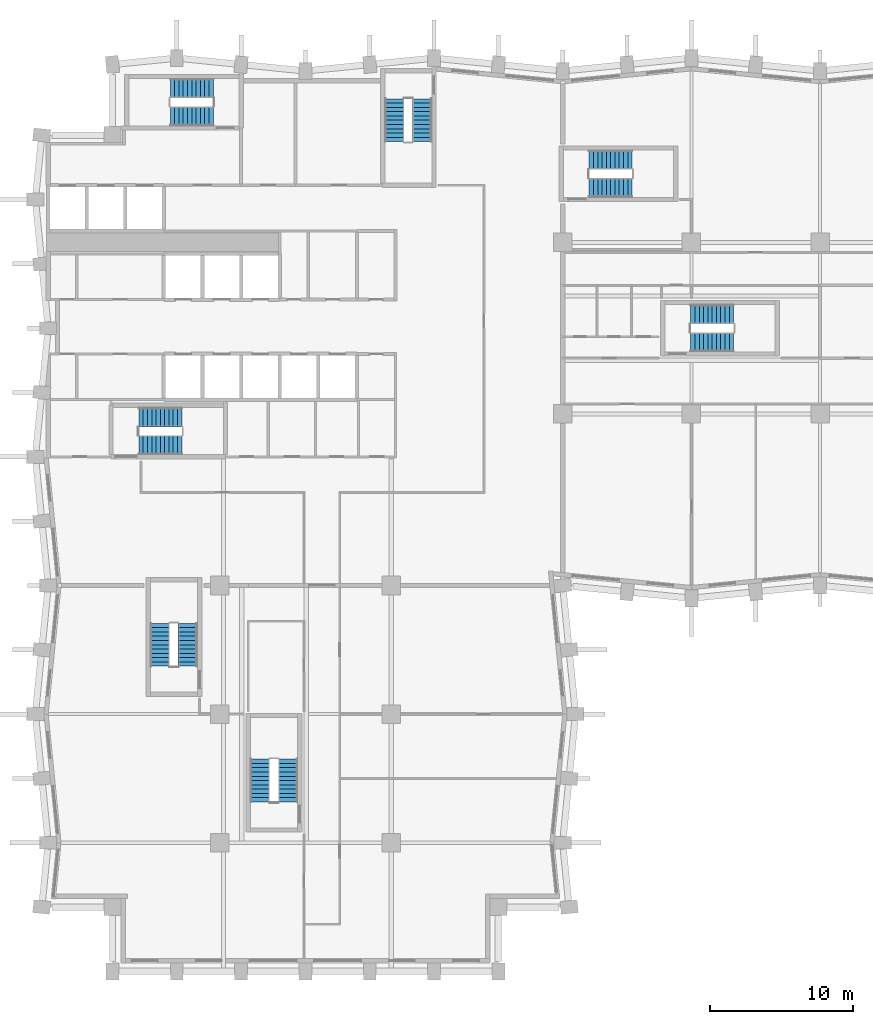
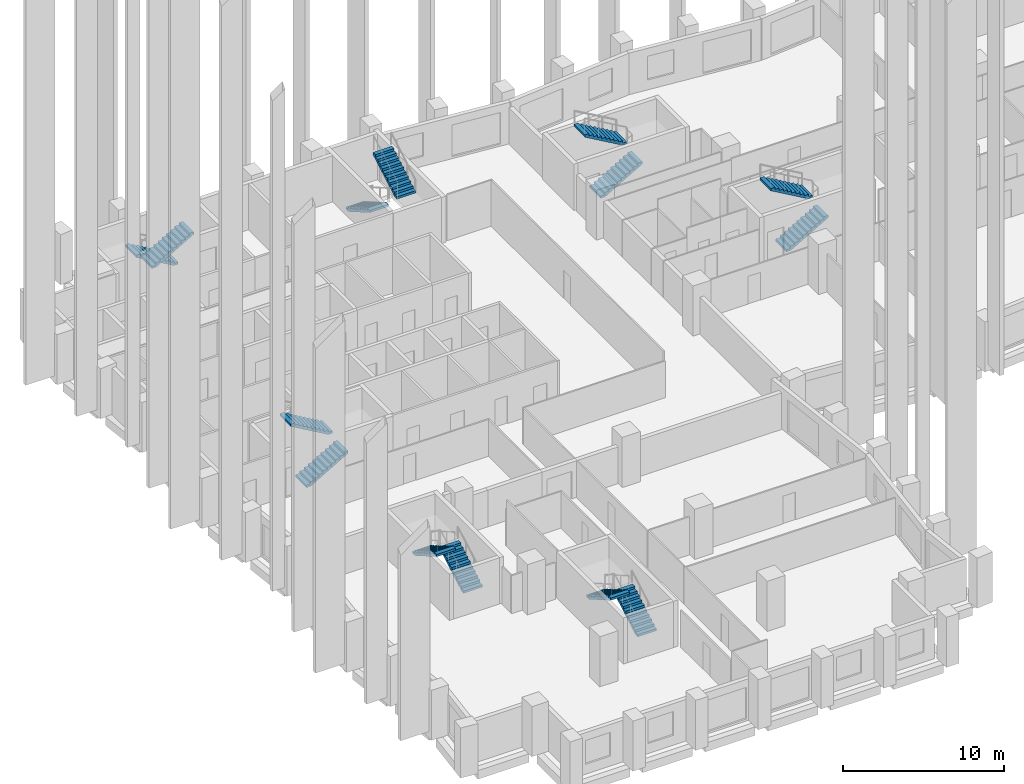
# One storey, part 10 of 12: 14 stair flights, 7 elements without a shape of their own.
"""IFC4 building model written with IfcOpenShell, lengths in metres."""

from ifc_helpers import new_model, si_unit, direction, frame, origin, place, context, subcontext, project, spatial, polyline, outline, extrude, material, type_object, element, aggregate, save


model = new_model("IFC4")

# Units and contexts
model_context = context("Model", 3, precision=1e-05, world=origin(), true_north=direction((0.0, 1.0)))
body_context = subcontext(model_context, "Body", "Model", "MODEL_VIEW")
ifc_project = project(units=[si_unit("LENGTHUNIT", "METRE"), si_unit("AREAUNIT", "SQUARE_METRE"), si_unit("VOLUMEUNIT", "CUBIC_METRE"), si_unit("PLANEANGLEUNIT", "RADIAN"), si_unit("MASSUNIT", "GRAM", prefix="KILO")], contexts=[model_context])

# Site, building, storey
site_placement = place(None, origin())
site = spatial("IfcSite", under=ifc_project, at=site_placement, CompositionType="ELEMENT")
building_placement = place(site_placement, origin())
building = spatial("IfcBuilding", under=site, at=building_placement, Name="Brondeck Convention Tower", CompositionType="ELEMENT")
storey_placement = place(building_placement, frame((0.0, 0.0, 88.5)))
storey = spatial("IfcBuildingStorey", under=building, at=storey_placement, Name="L20", CompositionType="ELEMENT", Elevation=88.5)

# Stair, stair flights
ifc_material = material(Name="Precast concrete C50/60", Category="concrete")
stair_type = type_object("IfcStairType", Name="Core stair 22 risers 172.73 mm riser 300 mm going 1350 wide", PredefinedType="HALF_TURN_STAIR", material=ifc_material)
stair_1_placement = place(storey_placement, origin())
stair_1 = element("IfcStair", 1, at=stair_1_placement, inside=storey, type_object=stair_type, Name="ST-1 L20 stair", PredefinedType="HALF_TURN_STAIR")
stair_flight_type = type_object("IfcStairFlightType", Name="Core stair flight 22 risers 172.73 mm riser 300 mm going 1350 wide", PredefinedType="STRAIGHT", material=ifc_material)
stair_flight_1_placement = place(storey_placement, frame((6.35009765625, 36.824951171875, 0.0), z_axis=(0.0, 0.0, 1.0), x_axis=(1.0, 0.0, 0.0)))
stair_flight_1 = element("IfcStairFlight", 2, at=stair_flight_1_placement, type_object=stair_flight_type, Name="ST-1 flight 1", NumberOfRisers=11, NumberOfTreads=10, PredefinedType="STRAIGHT", RiserHeight=0.172727273, TreadLength=0.3, context=body_context, shape_type="SweptSolid", body=[
    extrude(outline(polyline([(0.0, 0.0), (0.0, 0.172607421875), (0.300048828125, 0.172607421875), (0.300048828125, 0.345458984375), (0.60009765625, 0.345458984375), (0.60009765625, 0.51806640625), (0.89990234375, 0.51806640625), (0.89990234375, 0.69091796875), (1.199951171875, 0.69091796875), (1.199951171875, 0.863525390625), (1.5, 0.863525390625), (1.5, 1.036376953125), (1.800048828125, 1.036376953125), (1.800048828125, 1.208984375), (2.10009765625, 1.208984375), (2.10009765625, 1.3818359375), (2.39990234375, 1.3818359375), (2.39990234375, 1.554443359375), (2.699951171875, 1.554443359375), (2.699951171875, 1.727294921875), (3.0, 1.727294921875), (3.0, 1.89990234375), (3.0, 1.55419921875), (0.300537109375, 0.0), (0.0, 0.0)])), frame((0.0, 0.675048828125, 0.0), z_axis=(0.0, -1.0, 0.0), x_axis=(1.0, 0.0, 0.0)), (0.0, 0.0, 1.0), 1.35009765625),
])
stair_flight_2_placement = place(storey_placement, frame((9.35009765625, 38.77490234375, 1.89990234375), z_axis=(0.0, 0.0, 1.0), x_axis=(-1.0, 0.0, 0.0)))
stair_flight_2 = element("IfcStairFlight", 3, at=stair_flight_2_placement, type_object=stair_flight_type, Name="ST-1 flight 2", NumberOfRisers=11, NumberOfTreads=10, PredefinedType="STRAIGHT", RiserHeight=0.172727273, TreadLength=0.3, context=body_context, shape_type="SweptSolid", body=[
    extrude(outline(polyline([(0.0, 0.0), (0.0, 0.172607421875), (0.300048828125, 0.172607421875), (0.300048828125, 0.345458984375), (0.60009765625, 0.345458984375), (0.60009765625, 0.51806640625), (0.89990234375, 0.51806640625), (0.89990234375, 0.69091796875), (1.199951171875, 0.69091796875), (1.199951171875, 0.863525390625), (1.5, 0.863525390625), (1.5, 1.036376953125), (1.800048828125, 1.036376953125), (1.800048828125, 1.208984375), (2.10009765625, 1.208984375), (2.10009765625, 1.3818359375), (2.39990234375, 1.3818359375), (2.39990234375, 1.554443359375), (2.699951171875, 1.554443359375), (2.699951171875, 1.727294921875), (3.0, 1.727294921875), (3.0, 1.89990234375), (3.0, 1.55419921875), (0.300537109375, 0.0), (0.0, 0.0)])), frame((0.0, 0.675048828125, 0.0), z_axis=(0.0, -1.0, 0.0), x_axis=(1.0, 0.0, 0.0)), (0.0, 0.0, 1.0), 1.35009765625),
])
aggregate(stair_1, [stair_flight_1, stair_flight_2])

stair_2_placement = place(storey_placement, origin())
stair_2 = element("IfcStair", 4, at=stair_2_placement, inside=storey, type_object=stair_type, Name="ST-2 L20 stair", PredefinedType="HALF_TURN_STAIR")
stair_flight_3_placement = place(storey_placement, frame((24.22509765625, 61.050048828125, 0.0), z_axis=(0.0, 0.0, 1.0), x_axis=(0.0, -1.0, 0.0)))
stair_flight_3 = element("IfcStairFlight", 5, at=stair_flight_3_placement, type_object=stair_flight_type, Name="ST-2 flight 1", NumberOfRisers=11, NumberOfTreads=10, PredefinedType="STRAIGHT", RiserHeight=0.172727273, TreadLength=0.3, context=body_context, shape_type="SweptSolid", body=[
    extrude(outline(polyline([(0.0, 0.0), (0.0, 0.172607421875), (0.300048828125, 0.172607421875), (0.300048828125, 0.345458984375), (0.60009765625, 0.345458984375), (0.60009765625, 0.51806640625), (0.89990234375, 0.51806640625), (0.89990234375, 0.69091796875), (1.199951171875, 0.69091796875), (1.199951171875, 0.863525390625), (1.5, 0.863525390625), (1.5, 1.036376953125), (1.800048828125, 1.036376953125), (1.800048828125, 1.208984375), (2.10009765625, 1.208984375), (2.10009765625, 1.3818359375), (2.39990234375, 1.3818359375), (2.39990234375, 1.554443359375), (2.699951171875, 1.554443359375), (2.699951171875, 1.727294921875), (3.0, 1.727294921875), (3.0, 1.89990234375), (3.0, 1.55419921875), (0.300537109375, 0.0), (0.0, 0.0)])), frame((0.0, 0.675048828125, 0.0), z_axis=(0.0, -1.0, 0.0), x_axis=(1.0, 0.0, 0.0)), (0.0, 0.0, 1.0), 1.35009765625),
])
stair_flight_4_placement = place(storey_placement, frame((26.175048828125, 58.050048828125, 1.89990234375), z_axis=(0.0, 0.0, 1.0), x_axis=(0.0, 1.0, 0.0)))
stair_flight_4 = element("IfcStairFlight", 6, at=stair_flight_4_placement, type_object=stair_flight_type, Name="ST-2 flight 2", NumberOfRisers=11, NumberOfTreads=10, PredefinedType="STRAIGHT", RiserHeight=0.172727273, TreadLength=0.3, context=body_context, shape_type="SweptSolid", body=[
    extrude(outline(polyline([(0.0, 0.0), (0.0, 0.172607421875), (0.300048828125, 0.172607421875), (0.300048828125, 0.345458984375), (0.60009765625, 0.345458984375), (0.60009765625, 0.51806640625), (0.89990234375, 0.51806640625), (0.89990234375, 0.69091796875), (1.199951171875, 0.69091796875), (1.199951171875, 0.863525390625), (1.5, 0.863525390625), (1.5, 1.036376953125), (1.800048828125, 1.036376953125), (1.800048828125, 1.208984375), (2.10009765625, 1.208984375), (2.10009765625, 1.3818359375), (2.39990234375, 1.3818359375), (2.39990234375, 1.554443359375), (2.699951171875, 1.554443359375), (2.699951171875, 1.727294921875), (3.0, 1.727294921875), (3.0, 1.89990234375), (3.0, 1.55419921875), (0.300537109375, 0.0), (0.0, 0.0)])), frame((0.0, 0.675048828125, 0.0), z_axis=(0.0, -1.0, 0.0), x_axis=(1.0, 0.0, 0.0)), (0.0, 0.0, 1.0), 1.35009765625),
])
aggregate(stair_2, [stair_flight_3, stair_flight_4])

stair_3_placement = place(storey_placement, origin())
stair_3 = element("IfcStair", 7, at=stair_3_placement, inside=storey, type_object=stair_type, Name="ST-3 L20 stair", PredefinedType="HALF_TURN_STAIR")
stair_flight_5_placement = place(storey_placement, frame((11.550048828125, 61.77490234375, 0.0), z_axis=(0.0, 0.0, 1.0), x_axis=(-1.0, 0.0, 0.0)))
stair_flight_5 = element("IfcStairFlight", 8, at=stair_flight_5_placement, type_object=stair_flight_type, Name="ST-3 flight 1", NumberOfRisers=11, NumberOfTreads=10, PredefinedType="STRAIGHT", RiserHeight=0.172727273, TreadLength=0.3, context=body_context, shape_type="SweptSolid", body=[
    extrude(outline(polyline([(0.0, 0.0), (0.0, 0.172607421875), (0.300048828125, 0.172607421875), (0.300048828125, 0.345458984375), (0.60009765625, 0.345458984375), (0.60009765625, 0.51806640625), (0.89990234375, 0.51806640625), (0.89990234375, 0.69091796875), (1.199951171875, 0.69091796875), (1.199951171875, 0.863525390625), (1.5, 0.863525390625), (1.5, 1.036376953125), (1.800048828125, 1.036376953125), (1.800048828125, 1.208984375), (2.10009765625, 1.208984375), (2.10009765625, 1.3818359375), (2.39990234375, 1.3818359375), (2.39990234375, 1.554443359375), (2.699951171875, 1.554443359375), (2.699951171875, 1.727294921875), (3.0, 1.727294921875), (3.0, 1.89990234375), (3.0, 1.55419921875), (0.300537109375, 0.0), (0.0, 0.0)])), frame((0.0, 0.675048828125, 0.0), z_axis=(0.0, -1.0, 0.0), x_axis=(1.0, 0.0, 0.0)), (0.0, 0.0, 1.0), 1.35009765625),
])
stair_flight_6_placement = place(storey_placement, frame((8.550048828125, 59.824951171875, 1.89990234375), z_axis=(0.0, 0.0, 1.0), x_axis=(1.0, 0.0, 0.0)))
stair_flight_6 = element("IfcStairFlight", 9, at=stair_flight_6_placement, type_object=stair_flight_type, Name="ST-3 flight 2", NumberOfRisers=11, NumberOfTreads=10, PredefinedType="STRAIGHT", RiserHeight=0.172727273, TreadLength=0.3, context=body_context, shape_type="SweptSolid", body=[
    extrude(outline(polyline([(0.0, 0.0), (0.0, 0.172607421875), (0.300048828125, 0.172607421875), (0.300048828125, 0.345458984375), (0.60009765625, 0.345458984375), (0.60009765625, 0.51806640625), (0.89990234375, 0.51806640625), (0.89990234375, 0.69091796875), (1.199951171875, 0.69091796875), (1.199951171875, 0.863525390625), (1.5, 0.863525390625), (1.5, 1.036376953125), (1.800048828125, 1.036376953125), (1.800048828125, 1.208984375), (2.10009765625, 1.208984375), (2.10009765625, 1.3818359375), (2.39990234375, 1.3818359375), (2.39990234375, 1.554443359375), (2.699951171875, 1.554443359375), (2.699951171875, 1.727294921875), (3.0, 1.727294921875), (3.0, 1.89990234375), (3.0, 1.55419921875), (0.300537109375, 0.0), (0.0, 0.0)])), frame((0.0, 0.675048828125, 0.0), z_axis=(0.0, -1.0, 0.0), x_axis=(1.0, 0.0, 0.0)), (0.0, 0.0, 1.0), 1.35009765625),
])
aggregate(stair_3, [stair_flight_5, stair_flight_6])

stair_4_placement = place(storey_placement, origin())
stair_4 = element("IfcStair", 10, at=stair_4_placement, inside=storey, type_object=stair_type, Name="ST-AE L20 stair", PredefinedType="HALF_TURN_STAIR")
stair_flight_7_placement = place(storey_placement, frame((37.85009765625, 54.824951171875, 0.0), z_axis=(0.0, 0.0, 1.0), x_axis=(1.0, 0.0, 0.0)))
stair_flight_7 = element("IfcStairFlight", 11, at=stair_flight_7_placement, type_object=stair_flight_type, Name="ST-AE flight 1", NumberOfRisers=11, NumberOfTreads=10, PredefinedType="STRAIGHT", RiserHeight=0.172727273, TreadLength=0.3, context=body_context, shape_type="SweptSolid", body=[
    extrude(outline(polyline([(0.0, 0.0), (0.0, 0.172607421875), (0.300048828125, 0.172607421875), (0.300048828125, 0.345458984375), (0.60009765625, 0.345458984375), (0.60009765625, 0.51806640625), (0.89990234375, 0.51806640625), (0.89990234375, 0.69091796875), (1.199951171875, 0.69091796875), (1.199951171875, 0.863525390625), (1.5, 0.863525390625), (1.5, 1.036376953125), (1.800048828125, 1.036376953125), (1.800048828125, 1.208984375), (2.10009765625, 1.208984375), (2.10009765625, 1.3818359375), (2.39990234375, 1.3818359375), (2.39990234375, 1.554443359375), (2.699951171875, 1.554443359375), (2.699951171875, 1.727294921875), (3.0, 1.727294921875), (3.0, 1.89990234375), (3.0, 1.55419921875), (0.300537109375, 0.0), (0.0, 0.0)])), frame((0.0, 0.675048828125, 0.0), z_axis=(0.0, -1.0, 0.0), x_axis=(1.0, 0.0, 0.0)), (0.0, 0.0, 1.0), 1.35009765625),
])
stair_flight_8_placement = place(storey_placement, frame((40.85009765625, 56.77490234375, 1.89990234375), z_axis=(0.0, 0.0, 1.0), x_axis=(-1.0, 0.0, 0.0)))
stair_flight_8 = element("IfcStairFlight", 12, at=stair_flight_8_placement, type_object=stair_flight_type, Name="ST-AE flight 2", NumberOfRisers=11, NumberOfTreads=10, PredefinedType="STRAIGHT", RiserHeight=0.172727273, TreadLength=0.3, context=body_context, shape_type="SweptSolid", body=[
    extrude(outline(polyline([(0.0, 0.0), (0.0, 0.172607421875), (0.300048828125, 0.172607421875), (0.300048828125, 0.345458984375), (0.60009765625, 0.345458984375), (0.60009765625, 0.51806640625), (0.89990234375, 0.51806640625), (0.89990234375, 0.69091796875), (1.199951171875, 0.69091796875), (1.199951171875, 0.863525390625), (1.5, 0.863525390625), (1.5, 1.036376953125), (1.800048828125, 1.036376953125), (1.800048828125, 1.208984375), (2.10009765625, 1.208984375), (2.10009765625, 1.3818359375), (2.39990234375, 1.3818359375), (2.39990234375, 1.554443359375), (2.699951171875, 1.554443359375), (2.699951171875, 1.727294921875), (3.0, 1.727294921875), (3.0, 1.89990234375), (3.0, 1.55419921875), (0.300537109375, 0.0), (0.0, 0.0)])), frame((0.0, 0.675048828125, 0.0), z_axis=(0.0, -1.0, 0.0), x_axis=(1.0, 0.0, 0.0)), (0.0, 0.0, 1.0), 1.35009765625),
])
aggregate(stair_4, [stair_flight_7, stair_flight_8])

stair_5_placement = place(storey_placement, origin())
stair_5 = element("IfcStair", 13, at=stair_5_placement, inside=storey, type_object=stair_type, Name="ST-BE L20 stair", PredefinedType="HALF_TURN_STAIR")
stair_flight_9_placement = place(storey_placement, frame((9.77490234375, 21.35009765625, 0.0), z_axis=(0.0, 0.0, 1.0), x_axis=(0.0, 1.0, 0.0)))
stair_flight_9 = element("IfcStairFlight", 14, at=stair_flight_9_placement, type_object=stair_flight_type, Name="ST-BE flight 1", NumberOfRisers=11, NumberOfTreads=10, PredefinedType="STRAIGHT", RiserHeight=0.172727273, TreadLength=0.3, context=body_context, shape_type="SweptSolid", body=[
    extrude(outline(polyline([(0.0, 0.0), (0.0, 0.172607421875), (0.300048828125, 0.172607421875), (0.300048828125, 0.345458984375), (0.60009765625, 0.345458984375), (0.60009765625, 0.51806640625), (0.89990234375, 0.51806640625), (0.89990234375, 0.69091796875), (1.199951171875, 0.69091796875), (1.199951171875, 0.863525390625), (1.5, 0.863525390625), (1.5, 1.036376953125), (1.800048828125, 1.036376953125), (1.800048828125, 1.208984375), (2.10009765625, 1.208984375), (2.10009765625, 1.3818359375), (2.39990234375, 1.3818359375), (2.39990234375, 1.554443359375), (2.699951171875, 1.554443359375), (2.699951171875, 1.727294921875), (3.0, 1.727294921875), (3.0, 1.89990234375), (3.0, 1.55419921875), (0.300537109375, 0.0), (0.0, 0.0)])), frame((0.0, 0.675048828125, 0.0), z_axis=(0.0, -1.0, 0.0), x_axis=(1.0, 0.0, 0.0)), (0.0, 0.0, 1.0), 1.35009765625),
])
stair_flight_10_placement = place(storey_placement, frame((7.824951171875, 24.35009765625, 1.89990234375), z_axis=(0.0, 0.0, 1.0), x_axis=(0.0, -1.0, 0.0)))
stair_flight_10 = element("IfcStairFlight", 15, at=stair_flight_10_placement, type_object=stair_flight_type, Name="ST-BE flight 2", NumberOfRisers=11, NumberOfTreads=10, PredefinedType="STRAIGHT", RiserHeight=0.172727273, TreadLength=0.3, context=body_context, shape_type="SweptSolid", body=[
    extrude(outline(polyline([(0.0, 0.0), (0.0, 0.172607421875), (0.300048828125, 0.172607421875), (0.300048828125, 0.345458984375), (0.60009765625, 0.345458984375), (0.60009765625, 0.51806640625), (0.89990234375, 0.51806640625), (0.89990234375, 0.69091796875), (1.199951171875, 0.69091796875), (1.199951171875, 0.863525390625), (1.5, 0.863525390625), (1.5, 1.036376953125), (1.800048828125, 1.036376953125), (1.800048828125, 1.208984375), (2.10009765625, 1.208984375), (2.10009765625, 1.3818359375), (2.39990234375, 1.3818359375), (2.39990234375, 1.554443359375), (2.699951171875, 1.554443359375), (2.699951171875, 1.727294921875), (3.0, 1.727294921875), (3.0, 1.89990234375), (3.0, 1.55419921875), (0.300537109375, 0.0), (0.0, 0.0)])), frame((0.0, 0.675048828125, 0.0), z_axis=(0.0, -1.0, 0.0), x_axis=(1.0, 0.0, 0.0)), (0.0, 0.0, 1.0), 1.35009765625),
])
aggregate(stair_5, [stair_flight_9, stair_flight_10])

stair_6_placement = place(storey_placement, origin())
stair_6 = element("IfcStair", 16, at=stair_6_placement, inside=storey, type_object=stair_type, Name="ST-AF L20 stair", PredefinedType="HALF_TURN_STAIR")
stair_flight_11_placement = place(storey_placement, frame((44.949951171875, 44.02490234375, 0.0), z_axis=(0.0, 0.0, 1.0), x_axis=(1.0, 0.0, 0.0)))
stair_flight_11 = element("IfcStairFlight", 17, at=stair_flight_11_placement, type_object=stair_flight_type, Name="ST-AF flight 1", NumberOfRisers=11, NumberOfTreads=10, PredefinedType="STRAIGHT", RiserHeight=0.172727273, TreadLength=0.3, context=body_context, shape_type="SweptSolid", body=[
    extrude(outline(polyline([(0.0, 0.0), (0.0, 0.172607421875), (0.300048828125, 0.172607421875), (0.300048828125, 0.345458984375), (0.60009765625, 0.345458984375), (0.60009765625, 0.51806640625), (0.89990234375, 0.51806640625), (0.89990234375, 0.69091796875), (1.199951171875, 0.69091796875), (1.199951171875, 0.863525390625), (1.5, 0.863525390625), (1.5, 1.036376953125), (1.800048828125, 1.036376953125), (1.800048828125, 1.208984375), (2.10009765625, 1.208984375), (2.10009765625, 1.3818359375), (2.39990234375, 1.3818359375), (2.39990234375, 1.554443359375), (2.699951171875, 1.554443359375), (2.699951171875, 1.727294921875), (3.0, 1.727294921875), (3.0, 1.89990234375), (3.0, 1.55419921875), (0.300537109375, 0.0), (0.0, 0.0)])), frame((0.0, 0.675048828125, 0.0), z_axis=(0.0, -1.0, 0.0), x_axis=(1.0, 0.0, 0.0)), (0.0, 0.0, 1.0), 1.35009765625),
])
stair_flight_12_placement = place(storey_placement, frame((47.949951171875, 45.97509765625, 1.89990234375), z_axis=(0.0, 0.0, 1.0), x_axis=(-1.0, 0.0, 0.0)))
stair_flight_12 = element("IfcStairFlight", 18, at=stair_flight_12_placement, type_object=stair_flight_type, Name="ST-AF flight 2", NumberOfRisers=11, NumberOfTreads=10, PredefinedType="STRAIGHT", RiserHeight=0.172727273, TreadLength=0.3, context=body_context, shape_type="SweptSolid", body=[
    extrude(outline(polyline([(0.0, 0.0), (0.0, 0.172607421875), (0.300048828125, 0.172607421875), (0.300048828125, 0.345458984375), (0.60009765625, 0.345458984375), (0.60009765625, 0.51806640625), (0.89990234375, 0.51806640625), (0.89990234375, 0.69091796875), (1.199951171875, 0.69091796875), (1.199951171875, 0.863525390625), (1.5, 0.863525390625), (1.5, 1.036376953125), (1.800048828125, 1.036376953125), (1.800048828125, 1.208984375), (2.10009765625, 1.208984375), (2.10009765625, 1.3818359375), (2.39990234375, 1.3818359375), (2.39990234375, 1.554443359375), (2.699951171875, 1.554443359375), (2.699951171875, 1.727294921875), (3.0, 1.727294921875), (3.0, 1.89990234375), (3.0, 1.55419921875), (0.300537109375, 0.0), (0.0, 0.0)])), frame((0.0, 0.675048828125, 0.0), z_axis=(0.0, -1.0, 0.0), x_axis=(1.0, 0.0, 0.0)), (0.0, 0.0, 1.0), 1.35009765625),
])
aggregate(stair_6, [stair_flight_11, stair_flight_12])

stair_7_placement = place(storey_placement, origin())
stair_7 = element("IfcStair", 19, at=stair_7_placement, inside=storey, type_object=stair_type, Name="ST-BF L20 stair", PredefinedType="HALF_TURN_STAIR")
stair_flight_13_placement = place(storey_placement, frame((16.77490234375, 11.85009765625, 0.0), z_axis=(0.0, 0.0, 1.0), x_axis=(0.0, 1.0, 0.0)))
stair_flight_13 = element("IfcStairFlight", 20, at=stair_flight_13_placement, type_object=stair_flight_type, Name="ST-BF flight 1", NumberOfRisers=11, NumberOfTreads=10, PredefinedType="STRAIGHT", RiserHeight=0.172727273, TreadLength=0.3, context=body_context, shape_type="SweptSolid", body=[
    extrude(outline(polyline([(0.0, 0.0), (0.0, 0.172607421875), (0.300048828125, 0.172607421875), (0.300048828125, 0.345458984375), (0.60009765625, 0.345458984375), (0.60009765625, 0.51806640625), (0.89990234375, 0.51806640625), (0.89990234375, 0.69091796875), (1.199951171875, 0.69091796875), (1.199951171875, 0.863525390625), (1.5, 0.863525390625), (1.5, 1.036376953125), (1.800048828125, 1.036376953125), (1.800048828125, 1.208984375), (2.10009765625, 1.208984375), (2.10009765625, 1.3818359375), (2.39990234375, 1.3818359375), (2.39990234375, 1.554443359375), (2.699951171875, 1.554443359375), (2.699951171875, 1.727294921875), (3.0, 1.727294921875), (3.0, 1.89990234375), (3.0, 1.55419921875), (0.300537109375, 0.0), (0.0, 0.0)])), frame((0.0, 0.675048828125, 0.0), z_axis=(0.0, -1.0, 0.0), x_axis=(1.0, 0.0, 0.0)), (0.0, 0.0, 1.0), 1.35009765625),
])
stair_flight_14_placement = place(storey_placement, frame((14.824951171875, 14.85009765625, 1.89990234375), z_axis=(0.0, 0.0, 1.0), x_axis=(0.0, -1.0, 0.0)))
stair_flight_14 = element("IfcStairFlight", 21, at=stair_flight_14_placement, type_object=stair_flight_type, Name="ST-BF flight 2", NumberOfRisers=11, NumberOfTreads=10, PredefinedType="STRAIGHT", RiserHeight=0.172727273, TreadLength=0.3, context=body_context, shape_type="SweptSolid", body=[
    extrude(outline(polyline([(0.0, 0.0), (0.0, 0.172607421875), (0.300048828125, 0.172607421875), (0.300048828125, 0.345458984375), (0.60009765625, 0.345458984375), (0.60009765625, 0.51806640625), (0.89990234375, 0.51806640625), (0.89990234375, 0.69091796875), (1.199951171875, 0.69091796875), (1.199951171875, 0.863525390625), (1.5, 0.863525390625), (1.5, 1.036376953125), (1.800048828125, 1.036376953125), (1.800048828125, 1.208984375), (2.10009765625, 1.208984375), (2.10009765625, 1.3818359375), (2.39990234375, 1.3818359375), (2.39990234375, 1.554443359375), (2.699951171875, 1.554443359375), (2.699951171875, 1.727294921875), (3.0, 1.727294921875), (3.0, 1.89990234375), (3.0, 1.55419921875), (0.300537109375, 0.0), (0.0, 0.0)])), frame((0.0, 0.675048828125, 0.0), z_axis=(0.0, -1.0, 0.0), x_axis=(1.0, 0.0, 0.0)), (0.0, 0.0, 1.0), 1.35009765625),
])
aggregate(stair_7, [stair_flight_13, stair_flight_14])

save(model, "model.ifc")
